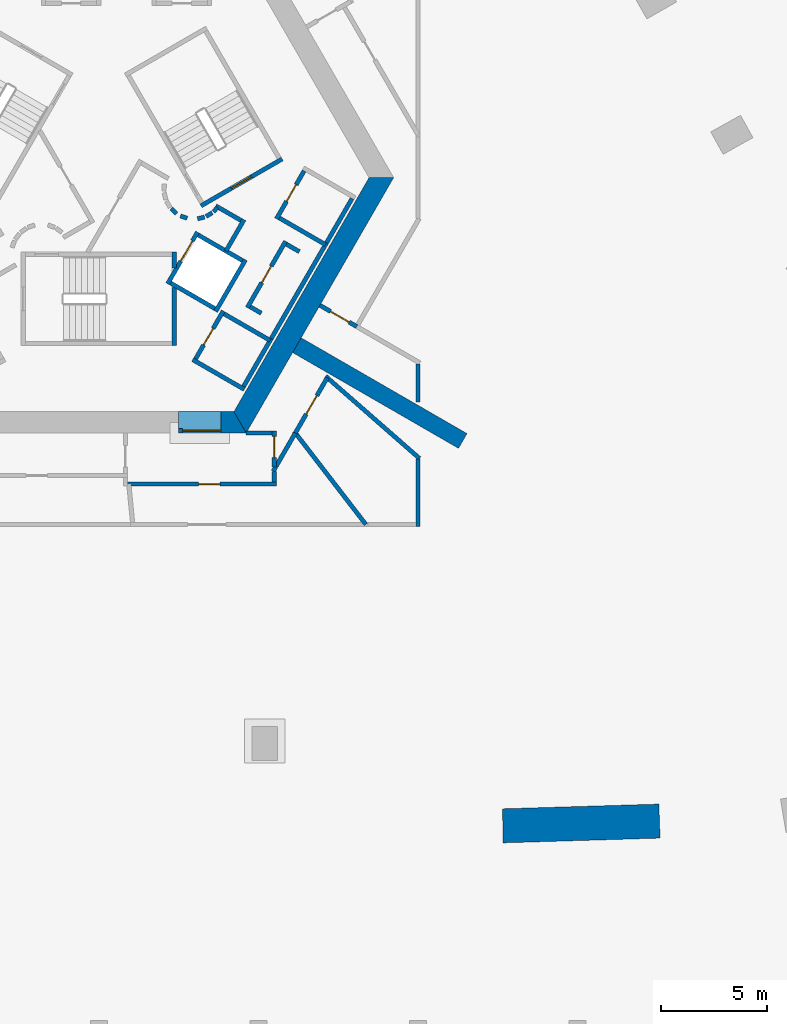
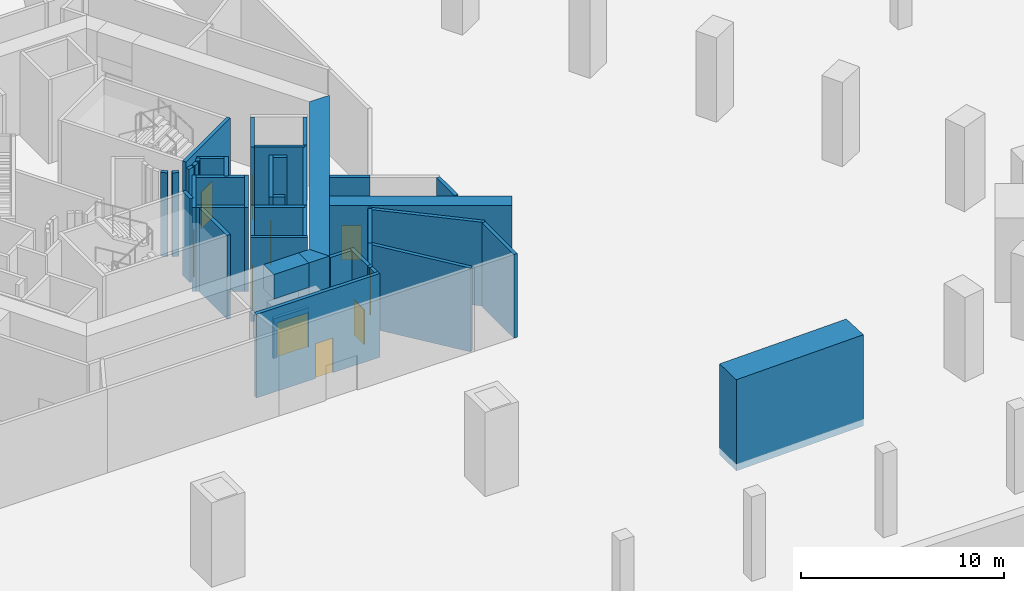
# One storey, part 5 of 12: 42 walls, 10 doors, 10 openings.
"""IFC4 building model written with IfcOpenShell, lengths in metres."""

from ifc_helpers import new_model, si_unit, direction, frame, frame_2d, origin, place, context, subcontext, project, spatial, polyline, rectangle, outline, extrude, material, layer, layer_set, type_object, element, fill, save


model = new_model("IFC4")

# Units and contexts
model_context = context("Model", 3, precision=1e-05, world=origin(), true_north=direction((0.0, 1.0)))
body_context = subcontext(model_context, "Body", "Model", "MODEL_VIEW")
ifc_project = project(units=[si_unit("LENGTHUNIT", "METRE"), si_unit("AREAUNIT", "SQUARE_METRE"), si_unit("VOLUMEUNIT", "CUBIC_METRE"), si_unit("PLANEANGLEUNIT", "RADIAN"), si_unit("MASSUNIT", "GRAM", prefix="KILO")], contexts=[model_context])

# Site, building, storey
site_placement = place(None, origin())
site = spatial("IfcSite", under=ifc_project, at=site_placement, CompositionType="ELEMENT")
building_placement = place(site_placement, origin())
building = spatial("IfcBuilding", under=site, at=building_placement, Name="Entoto Arch Interchange Tower", CompositionType="ELEMENT")
storey_placement = place(building_placement, frame((0.0, 0.0, -11.0)))
storey = spatial("IfcBuildingStorey", under=building, at=storey_placement, Name="B2", CompositionType="ELEMENT", Elevation=-11.0)

# Walls
ifc_material_1 = material(Name="Concrete C60/75", Category="concrete")
ifc_layer_1 = layer(ifc_material_1, 1.60009765625)
ifc_layer_set_1 = layer_set([ifc_layer_1], Name="Concrete C60/75")
wall_type_1 = type_object("IfcWallType", Name="Arch leg wall 1600 C60/75", PredefinedType="SHEAR", material=ifc_layer_set_1)
wall_1_placement = place(storey_placement, frame((0.0, 0.0, -0.419921875)))
element("IfcWall", 1, at=wall_1_placement, inside=storey, type_object=wall_type_1, Name="Arch leg E B2", PredefinedType="SHEAR", context=body_context, shape_type="SweptSolid", body=[
    extrude(outline(polyline([(19.0, -28.761962890625), (26.376953125, -28.5400390625), (26.321044921875, -26.94091796875), (18.97607421875, -27.162109375), (19.0, -28.761962890625)])), origin(), (0.0, 0.0, 1.0), 5.5),
])
ifc_layer_2 = layer(ifc_material_1, 0.800048828125)
ifc_layer_set_2 = layer_set([ifc_layer_2], Name="Concrete C60/75")
wall_type_2 = type_object("IfcWallType", Name="Buttress wall 800 C60/75", PredefinedType="SHEAR", material=ifc_layer_set_2)
wall_2_placement = place(storey_placement, frame((9.31005859375, -5.375, -0.419921875), z_axis=(0.0, 0.0, 1.0), x_axis=(0.866017533419, -0.500013631625, 0.0)))
element("IfcWall", 2, at=wall_2_placement, inside=storey, type_object=wall_type_2, Name="Buttress wall SE B2", PredefinedType="SHEAR", context=body_context, shape_type="SweptSolid", body=[
    extrude(rectangle(XDim=8.999755859375, YDim=0.800048828125, at=frame_2d((4.5, 0.0))), origin(), (0.0, 0.0, 1.0), 5.5),
])

# Wall, opening, door
ifc_material_2 = material(Name="Reinforced concrete C40/50", Category="concrete")
ifc_layer_3 = layer(ifc_material_2, 0.199951171875)
ifc_layer_set_3 = layer_set([ifc_layer_3], Name="Reinforced concrete C40/50")
wall_type_3 = type_object("IfcWallType", Name="CORE GAP INFILL WALL", PredefinedType="PARTITIONING", material=ifc_layer_set_3)
wall_3_placement = place(storey_placement, frame((3.75, -9.39990234375, 0.0), z_axis=(0.0, 0.0, 1.0), x_axis=(1.0, 0.0, 0.0)))
wall_3 = element("IfcWall", 3, at=wall_3_placement, inside=storey, type_object=wall_type_3, Name="wall:B2:gap1", PredefinedType="PARTITIONING", context=body_context, shape_type="SweptSolid", body=[
    extrude(rectangle(XDim=2.0, YDim=0.199951171875, at=frame_2d((1.0, 0.0))), origin(), (0.0, 0.0, 1.0), 2.39990234375),
])
opening_1_placement = place(wall_3_placement, frame((0.18994140625, 0.0, 0.0)))
opening_1 = element("IfcOpeningElement", 4, at=opening_1_placement, cuts=wall_3, Name="Opening B2-D91", PredefinedType="OPENING", context=body_context, shape_type="SweptSolid", body=[
    extrude(rectangle(XDim=1.800048828125, YDim=2.10009765625, at=frame_2d((0.89990234375, 1.050048828125))), frame((0.0, 0.10986328125, 0.0), z_axis=(0.0, -1.0, 0.0), x_axis=(1.0, 0.0, 0.0)), (0.0, 0.0, 1.0), 0.219970703125),
])
ifc_material_3 = material(Name="Fire-rated Steel S235 door and frame", Category="steel")
door_type_1 = type_object("IfcDoorType", Name="DOOR FD-18 1800x2100", OperationType="DOUBLE_DOOR_SINGLE_SWING", PredefinedType="DOOR", material=ifc_material_3)
door_1_placement = place(opening_1_placement, origin())
door_1 = element("IfcDoor", 5, at=door_1_placement, inside=storey, type_object=door_type_1, Name="door:B2:gap1", OperationType="DOUBLE_DOOR_SINGLE_SWING", OverallHeight=2.10009765625, OverallWidth=1.800048828125, PredefinedType="DOOR", context=body_context, shape_type="SweptSolid", body=[
    extrude(rectangle(XDim=1.800048828125, YDim=2.10009765625, at=frame_2d((0.89990234375, 1.050048828125))), frame((0.0, 0.02490234375, 0.0), z_axis=(0.0, -1.0, 0.0), x_axis=(1.0, 0.0, 0.0)), (0.0, 0.0, 1.0), 0.050048828125),
])
fill(opening_1, door_1)

# Walls
ifc_layer_4 = layer(ifc_material_1, 1.0)
ifc_layer_set_4 = layer_set([ifc_layer_4], Name="Concrete C60/75")
wall_type_4 = type_object("IfcWallType", Name="Core wall 1000 C60/75", PredefinedType="SHEAR", material=ifc_layer_set_4)
wall_4_placement = place(storey_placement, frame((0.0, 0.0, -0.419921875)))
element("IfcWall", 6, at=wall_4_placement, inside=storey, type_object=wall_type_4, Name="Core wall S B2", PredefinedType="SHEAR", context=body_context, shape_type="SweptSolid", body=[
    extrude(outline(polyline([(5.75, -8.5), (5.75, -9.5), (6.927978515625, -9.5), (6.35107421875, -8.5), (5.75, -8.5)])), origin(), (0.0, 0.0, 1.0), 5.5),
])
wall_5_placement = place(storey_placement, frame((0.0, 0.0, 3.60009765625)))
element("IfcWall", 7, at=wall_5_placement, inside=storey, type_object=wall_type_4, Name="Core wall lintel S B2", PredefinedType="SHEAR", context=body_context, shape_type="SweptSolid", body=[
    extrude(outline(polyline([(5.75, -9.5), (5.75, -8.5), (3.75, -8.5), (3.75, -9.5), (5.75, -9.5)])), origin(), (0.0, 0.0, 1.0), 1.47998046875),
])
wall_6_placement = place(storey_placement, frame((0.0, 0.0, -0.419921875)))
element("IfcWall", 8, at=wall_6_placement, inside=storey, type_object=wall_type_4, Name="Core wall SE B2", PredefinedType="SHEAR", context=body_context, shape_type="SweptSolid", body=[
    extrude(outline(polyline([(6.927978515625, -9.5), (13.85595703125, 2.5), (12.701904296875, 2.5), (6.35107421875, -8.5), (6.927978515625, -9.5)])), origin(), (0.0, 0.0, 1.0), 5.5),
])

# Wall, opening, door
ifc_material_4 = material(Name="Concrete C40/50", Category="concrete")
ifc_layer_5 = layer(ifc_material_4, 0.199951171875)
ifc_layer_set_5 = layer_set([ifc_layer_5], Name="Concrete C40/50")
wall_type_5 = type_object("IfcWallType", Name="LIFT SHAFT WALL 200", PredefinedType="STANDARD", material=ifc_layer_set_5)
wall_7_placement = place(storey_placement, frame((3.239990234375, -2.488037109375, 0.0), z_axis=(0.0, 0.0, 1.0), x_axis=(0.49994636267, 0.866056369097, 0.0)))
wall_7 = element("IfcWall", 9, at=wall_7_placement, inside=storey, type_object=wall_type_5, Name="Shaft wall SE1 front", PredefinedType="STANDARD", context=body_context, shape_type="SweptSolid", body=[
    extrude(rectangle(XDim=2.800048828125, YDim=0.199951171875, at=frame_2d((1.39990234375, 0.0))), origin(), (0.0, 0.0, 1.0), 5.050048828125),
])
opening_2_placement = place(wall_7_placement, frame((1.22509765625, 0.0, 0.0)))
opening_2 = element("IfcOpeningElement", 10, at=opening_2_placement, cuts=wall_7, Name="Opening LD-FF1-B2", PredefinedType="OPENING", context=body_context, shape_type="SweptSolid", body=[
    extrude(rectangle(XDim=1.10009765625, YDim=2.10009765625, at=frame_2d((0.550048828125, 1.050048828125))), frame((0.0, 0.10986328125, 0.0), z_axis=(0.0, -1.0, 0.0), x_axis=(1.0, 0.0, 0.0)), (0.0, 0.0, 1.0), 0.219970703125),
])
ifc_material_5 = material(Name="Stainless steel 1.4301 panels", Category="steel")
door_type_2 = type_object("IfcDoorType", Name="LIFT LANDING DOOR LD1 1100x2100", OperationType="SLIDING_TO_LEFT", PredefinedType="DOOR", material=ifc_material_5)
door_2_placement = place(opening_2_placement, origin())
door_2 = element("IfcDoor", 11, at=door_2_placement, inside=storey, type_object=door_type_2, Name="Lift landing door FF1 B2", OperationType="SLIDING_TO_LEFT", OverallHeight=2.10009765625, OverallWidth=1.10009765625, PredefinedType="DOOR", context=body_context, shape_type="SweptSolid", body=[
    extrude(rectangle(XDim=1.10009765625, YDim=2.10009765625, at=frame_2d((0.550048828125, 1.050048828125))), frame((0.0, 0.02490234375, 0.0), z_axis=(0.0, -1.0, 0.0), x_axis=(1.0, 0.0, 0.0)), (0.0, 0.0, 1.0), 0.050048828125),
])
fill(opening_2, door_2)

# Walls
wall_8_placement = place(storey_placement, frame((5.491943359375, -3.7880859375, 0.0), z_axis=(0.0, 0.0, 1.0), x_axis=(0.500011755427, 0.866018616679, 0.0)))
element("IfcWall", 12, at=wall_8_placement, inside=storey, type_object=wall_type_5, Name="Shaft wall SE1 back", PredefinedType="STANDARD", context=body_context, shape_type="SweptSolid", body=[
    extrude(rectangle(XDim=2.80029296875, YDim=0.199951171875, at=frame_2d((1.400146484375, 0.0))), origin(), (0.0, 0.0, 1.0), 5.050048828125),
])
wall_9_placement = place(storey_placement, frame((3.376953125, -2.451904296875, 0.0), z_axis=(0.0, 0.0, 1.0), x_axis=(0.865955154139, -0.50012165622, 0.0)))
element("IfcWall", 13, at=wall_9_placement, inside=storey, type_object=wall_type_5, Name="Shaft wall SE1 cross 1", PredefinedType="STANDARD", context=body_context, shape_type="SweptSolid", body=[
    extrude(rectangle(XDim=2.39990234375, YDim=0.199951171875, at=frame_2d((1.199951171875, 0.0))), origin(), (0.0, 0.0, 1.0), 5.050048828125),
])
wall_10_placement = place(storey_placement, frame((4.677001953125, -0.199951171875, 0.0), z_axis=(0.0, 0.0, 1.0), x_axis=(0.865973769406, -0.500089422704, 0.0)))
element("IfcWall", 14, at=wall_10_placement, inside=storey, type_object=wall_type_5, Name="Shaft wall SE1 cross 2", PredefinedType="STANDARD", context=body_context, shape_type="SweptSolid", body=[
    extrude(rectangle(XDim=2.3994140625, YDim=0.199951171875, at=frame_2d((1.19970703125, 0.0))), origin(), (0.0, 0.0, 1.0), 5.050048828125),
])

# Wall, opening, door
ifc_material_6 = material(Name="Gypsum board partition on steel studs", Category="steel")
ifc_layer_6 = layer(ifc_material_6, 0.199951171875)
ifc_layer_set_6 = layer_set([ifc_layer_6], Name="Gypsum board partition on steel studs")
wall_type_6 = type_object("IfcWallType", Name="PARTITION 200", PredefinedType="PARTITIONING", material=ifc_layer_set_6)
wall_11_placement = place(storey_placement, frame((8.25, -9.39990234375, 0.0), z_axis=(0.0, 0.0, 1.0), x_axis=(0.0, -1.0, 0.0)))
wall_11 = element("IfcWall", 15, at=wall_11_placement, inside=storey, type_object=wall_type_6, Name="wall:B2:p002", PredefinedType="PARTITIONING", context=body_context, shape_type="SweptSolid", body=[
    extrude(rectangle(XDim=1.710205078125, YDim=0.199951171875, at=frame_2d((0.85498046875, 0.0))), origin(), (0.0, 0.0, 1.0), 5.050048828125),
])
opening_3_placement = place(wall_11_placement, frame((0.261962890625, 0.0, 0.0)))
opening_3 = element("IfcOpeningElement", 16, at=opening_3_placement, cuts=wall_11, Name="Opening B2-D02", PredefinedType="OPENING", context=body_context, shape_type="SweptSolid", body=[
    extrude(rectangle(XDim=1.0, YDim=2.10009765625, at=frame_2d((0.5, 1.050048828125))), frame((0.0, 0.10986328125, 0.0), z_axis=(0.0, -1.0, 0.0), x_axis=(1.0, 0.0, 0.0)), (0.0, 0.0, 1.0), 0.219970703125),
])
door_type_3 = type_object("IfcDoorType", Name="DOOR FD-10 1000x2100", OperationType="SINGLE_SWING_LEFT", PredefinedType="DOOR", material=ifc_material_3)
door_3_placement = place(opening_3_placement, origin())
door_3 = element("IfcDoor", 17, at=door_3_placement, inside=storey, type_object=door_type_3, Name="door:B2:02", OperationType="SINGLE_SWING_RIGHT", OverallHeight=2.10009765625, OverallWidth=1.0, PredefinedType="DOOR", context=body_context, shape_type="SweptSolid", body=[
    extrude(rectangle(XDim=1.0, YDim=2.10009765625, at=frame_2d((0.5, 1.050048828125))), frame((0.0, 0.02490234375, 0.0), z_axis=(0.0, -1.0, 0.0), x_axis=(1.0, 0.0, 0.0)), (0.0, 0.0, 1.0), 0.050048828125),
])
fill(opening_3, door_3)

# Walls
wall_12_placement = place(storey_placement, frame((6.927978515625, -9.5, 0.0), z_axis=(0.0, 0.0, 1.0), x_axis=(1.0, 0.0, 0.0)))
element("IfcWall", 18, at=wall_12_placement, inside=storey, type_object=wall_type_6, Name="wall:B2:p003", PredefinedType="PARTITIONING", context=body_context, shape_type="SweptSolid", body=[
    extrude(rectangle(XDim=1.221923828125, YDim=0.199951171875, at=frame_2d((0.61083984375, 0.0))), origin(), (0.0, 0.0, 1.0), 5.050048828125),
])
wall_13_placement = place(storey_placement, frame((8.25, -11.31005859375, 0.0), z_axis=(0.0, 0.0, 1.0), x_axis=(0.0, -1.0, 0.0)))
element("IfcWall", 19, at=wall_13_placement, inside=storey, type_object=wall_type_6, Name="wall:B2:p004", PredefinedType="PARTITIONING", context=body_context, shape_type="SweptSolid", body=[
    extrude(rectangle(XDim=0.489990234375, YDim=0.199951171875, at=frame_2d((0.2451171875, 0.0))), origin(), (0.0, 0.0, 1.0), 5.050048828125),
])

# Wall, opening, door
wall_14_placement = place(storey_placement, frame((8.35009765625, -11.89990234375, 0.0), z_axis=(0.0, 0.0, 1.0), x_axis=(-1.0, 0.0, 0.0)))
wall_14 = element("IfcWall", 20, at=wall_14_placement, inside=storey, type_object=wall_type_6, Name="wall:B2:p005", PredefinedType="PARTITIONING", context=body_context, shape_type="SweptSolid", body=[
    extrude(rectangle(XDim=7.0390625, YDim=0.199951171875, at=frame_2d((3.51953125, 0.0))), origin(), (0.0, 0.0, 1.0), 5.050048828125),
])
opening_4_placement = place(wall_14_placement, frame((2.658935546875, 0.0, 0.0)))
opening_4 = element("IfcOpeningElement", 21, at=opening_4_placement, cuts=wall_14, Name="Opening B2-D03", PredefinedType="OPENING", context=body_context, shape_type="SweptSolid", body=[
    extrude(rectangle(XDim=1.0, YDim=2.10009765625, at=frame_2d((0.5, 1.050048828125))), frame((0.0, 0.10986328125, 0.0), z_axis=(0.0, -1.0, 0.0), x_axis=(1.0, 0.0, 0.0)), (0.0, 0.0, 1.0), 0.219970703125),
])
door_4_placement = place(opening_4_placement, origin())
door_4 = element("IfcDoor", 22, at=door_4_placement, inside=storey, type_object=door_type_3, Name="door:B2:03", OperationType="SINGLE_SWING_LEFT", OverallHeight=2.10009765625, OverallWidth=1.0, PredefinedType="DOOR", context=body_context, shape_type="SweptSolid", body=[
    extrude(rectangle(XDim=1.0, YDim=2.10009765625, at=frame_2d((0.5, 1.050048828125))), frame((0.0, 0.02490234375, 0.0), z_axis=(0.0, -1.0, 0.0), x_axis=(1.0, 0.0, 0.0)), (0.0, 0.0, 1.0), 0.050048828125),
])
fill(opening_4, door_4)

# Wall
wall_15_placement = place(storey_placement, frame((9.238037109375, -9.498046875, 0.0), z_axis=(0.0, 0.0, 1.0), x_axis=(-0.499780113518, -0.866152318089, 0.0)))
element("IfcWall", 23, at=wall_15_placement, inside=storey, type_object=wall_type_6, Name="wall:B2:p011", PredefinedType="PARTITIONING", context=body_context, shape_type="SweptSolid", body=[
    extrude(rectangle(XDim=2.0771484375, YDim=0.199951171875, at=frame_2d((1.03857421875, 0.0))), origin(), (0.0, 0.0, 1.0), 5.050048828125),
])

# Wall, opening, door
wall_16_placement = place(storey_placement, frame((10.738037109375, -6.90087890625, 0.0), z_axis=(0.0, 0.0, 1.0), x_axis=(-0.500131122175, -0.865949687125, 0.0)))
wall_16 = element("IfcWall", 24, at=wall_16_placement, inside=storey, type_object=wall_type_6, Name="wall:B2:p012", PredefinedType="PARTITIONING", context=body_context, shape_type="SweptSolid", body=[
    extrude(rectangle(XDim=2.999267578125, YDim=0.199951171875, at=frame_2d((1.49951171875, 0.0))), origin(), (0.0, 0.0, 1.0), 5.050048828125),
])
opening_5_placement = place(wall_16_placement, frame((0.971923828125, 0.0, 0.0)))
opening_5 = element("IfcOpeningElement", 25, at=opening_5_placement, cuts=wall_16, Name="Opening B2-D06", PredefinedType="OPENING", context=body_context, shape_type="SweptSolid", body=[
    extrude(rectangle(XDim=1.0, YDim=2.10009765625, at=frame_2d((0.5, 1.050048828125))), frame((0.0, 0.10986328125, 0.0), z_axis=(0.0, -1.0, 0.0), x_axis=(1.0, 0.0, 0.0)), (0.0, 0.0, 1.0), 0.219970703125),
])
door_5_placement = place(opening_5_placement, origin())
door_5 = element("IfcDoor", 26, at=door_5_placement, inside=storey, type_object=door_type_3, Name="door:B2:06", OperationType="SINGLE_SWING_RIGHT", OverallHeight=2.10009765625, OverallWidth=1.0, PredefinedType="DOOR", context=body_context, shape_type="SweptSolid", body=[
    extrude(rectangle(XDim=1.0, YDim=2.10009765625, at=frame_2d((0.5, 1.050048828125))), frame((0.0, 0.02490234375, 0.0), z_axis=(0.0, -1.0, 0.0), x_axis=(1.0, 0.0, 0.0)), (0.0, 0.0, 1.0), 0.050048828125),
])
fill(opening_5, door_5)

# Walls
wall_17_placement = place(storey_placement, frame((9.177001953125, -9.4189453125, 0.0), z_axis=(0.0, 0.0, 1.0), x_axis=(0.610158732695, -0.792279193792, 0.0)))
element("IfcWall", 27, at=wall_17_placement, inside=storey, type_object=wall_type_6, Name="wall:B2:p015", PredefinedType="PARTITIONING", context=body_context, shape_type="SweptSolid", body=[
    extrude(rectangle(XDim=5.52978515625, YDim=0.199951171875, at=frame_2d((2.764892578125, 0.0))), origin(), (0.0, 0.0, 1.0), 5.050048828125),
])
wall_18_placement = place(storey_placement, frame((10.6630859375, -6.8349609375, 0.0), z_axis=(0.0, 0.0, 1.0), x_axis=(0.752269740493, -0.658855247788, 0.0)))
element("IfcWall", 28, at=wall_18_placement, inside=storey, type_object=wall_type_6, Name="wall:B2:p023", PredefinedType="PARTITIONING", context=body_context, shape_type="SweptSolid", body=[
    extrude(rectangle(XDim=5.86474609375, YDim=0.199951171875, at=frame_2d((2.932373046875, 0.0))), origin(), (0.0, 0.0, 1.0), 5.050048828125),
])
wall_19_placement = place(storey_placement, frame((15.0, -10.73291015625, 0.0), z_axis=(0.0, 0.0, 1.0), x_axis=(0.0, -1.0, 0.0)))
element("IfcWall", 29, at=wall_19_placement, inside=storey, type_object=wall_type_6, Name="wall:B2:p024", PredefinedType="PARTITIONING", context=body_context, shape_type="SweptSolid", body=[
    extrude(rectangle(XDim=3.1669921875, YDim=0.199951171875, at=frame_2d((1.58349609375, 0.0))), origin(), (0.0, 0.0, 1.0), 5.050048828125),
])

# Wall, opening, door
wall_20_placement = place(storey_placement, frame((10.39208984375, -3.5, 0.0), z_axis=(0.0, 0.0, 1.0), x_axis=(0.866010750942, -0.50002537861, 0.0)))
wall_20 = element("IfcWall", 30, at=wall_20_placement, inside=storey, type_object=wall_type_6, Name="wall:B2:p025", PredefinedType="PARTITIONING", context=body_context, shape_type="SweptSolid", body=[
    extrude(rectangle(XDim=2.0, YDim=0.199951171875, at=frame_2d((1.0, 0.0))), origin(), (0.0, 0.0, 1.0), 5.050048828125),
])
opening_6_placement = place(wall_20_placement, frame((0.580078125, 0.0, 0.0)))
opening_6 = element("IfcOpeningElement", 31, at=opening_6_placement, cuts=wall_20, Name="Opening B2-D19", PredefinedType="OPENING", context=body_context, shape_type="SweptSolid", body=[
    extrude(rectangle(XDim=1.0, YDim=2.10009765625, at=frame_2d((0.5, 1.050048828125))), frame((0.0, 0.10986328125, 0.0), z_axis=(0.0, -1.0, 0.0), x_axis=(1.0, 0.0, 0.0)), (0.0, 0.0, 1.0), 0.219970703125),
])
ifc_material_7 = material(Name="Timber door leaf in Steel S235 frame", Category="steel")
door_type_4 = type_object("IfcDoorType", Name="DOOR DS-10 1000x2100", OperationType="SINGLE_SWING_LEFT", PredefinedType="DOOR", material=ifc_material_7)
door_6_placement = place(opening_6_placement, origin())
door_6 = element("IfcDoor", 32, at=door_6_placement, inside=storey, type_object=door_type_4, Name="door:B2:19", OperationType="SINGLE_SWING_LEFT", OverallHeight=2.10009765625, OverallWidth=1.0, PredefinedType="DOOR", context=body_context, shape_type="SweptSolid", body=[
    extrude(rectangle(XDim=1.0, YDim=2.10009765625, at=frame_2d((0.5, 1.050048828125))), frame((0.0, 0.02490234375, 0.0), z_axis=(0.0, -1.0, 0.0), x_axis=(1.0, 0.0, 0.0)), (0.0, 0.0, 1.0), 0.050048828125),
])
fill(opening_6, door_6)

# Walls
wall_21_placement = place(storey_placement, frame((15.0, -6.260009765625, 0.0), z_axis=(0.0, 0.0, 1.0), x_axis=(0.0, -1.0, 0.0)))
element("IfcWall", 33, at=wall_21_placement, inside=storey, type_object=wall_type_6, Name="wall:B2:p028", PredefinedType="PARTITIONING", context=body_context, shape_type="SweptSolid", body=[
    extrude(rectangle(XDim=1.781005859375, YDim=0.199951171875, at=frame_2d((0.890625, 0.0))), origin(), (0.0, 0.0, 1.0), 5.050048828125),
])
wall_22_placement = place(storey_placement, frame((6.840087890625, -7.452880859375, 0.0), z_axis=(0.0, 0.0, 1.0), x_axis=(-0.866056369097, 0.49994636267, 0.0)))
element("IfcWall", 34, at=wall_22_placement, inside=storey, type_object=wall_type_6, Name="wall:B2:p077", PredefinedType="PARTITIONING", context=body_context, shape_type="SweptSolid", body=[
    extrude(rectangle(XDim=2.800048828125, YDim=0.199951171875, at=frame_2d((1.39990234375, 0.0))), origin(), (0.0, 0.0, 1.0), 5.050048828125),
])

# Wall, opening, door
wall_23_placement = place(storey_placement, frame((4.551025390625, -6.01708984375, 0.0), z_axis=(0.0, 0.0, 1.0), x_axis=(0.499925626596, 0.866068339032, 0.0)))
wall_23 = element("IfcWall", 35, at=wall_23_placement, inside=storey, type_object=wall_type_6, Name="wall:B2:p078", PredefinedType="PARTITIONING", context=body_context, shape_type="SweptSolid", body=[
    extrude(rectangle(XDim=2.6005859375, YDim=0.199951171875, at=frame_2d((1.30029296875, 0.0))), origin(), (0.0, 0.0, 1.0), 5.050048828125),
])
opening_7_placement = place(wall_23_placement, frame((0.75, 0.0, 0.0)))
opening_7 = element("IfcOpeningElement", 36, at=opening_7_placement, cuts=wall_23, Name="Opening B2-D27", PredefinedType="OPENING", context=body_context, shape_type="SweptSolid", body=[
    extrude(rectangle(XDim=0.89990234375, YDim=2.10009765625, at=frame_2d((0.449951171875, 1.050048828125))), frame((0.0, 0.10986328125, 0.0), z_axis=(0.0, -1.0, 0.0), x_axis=(1.0, 0.0, 0.0)), (0.0, 0.0, 1.0), 0.219970703125),
])
door_type_5 = type_object("IfcDoorType", Name="DOOR DS-09 900x2100", OperationType="SINGLE_SWING_LEFT", PredefinedType="DOOR", material=ifc_material_7)
door_7_placement = place(opening_7_placement, origin())
door_7 = element("IfcDoor", 37, at=door_7_placement, inside=storey, type_object=door_type_5, Name="door:B2:27", OperationType="SINGLE_SWING_RIGHT", OverallHeight=2.10009765625, OverallWidth=0.89990234375, PredefinedType="DOOR", context=body_context, shape_type="SweptSolid", body=[
    extrude(rectangle(XDim=0.89990234375, YDim=2.10009765625, at=frame_2d((0.449951171875, 1.050048828125))), frame((0.0, 0.02490234375, 0.0), z_axis=(0.0, -1.0, 0.0), x_axis=(1.0, 0.0, 0.0)), (0.0, 0.0, 1.0), 0.050048828125),
])
fill(opening_7, door_7)

# Walls
wall_24_placement = place(storey_placement, frame((5.887939453125, -3.902099609375, 0.0), z_axis=(0.0, 0.0, 1.0), x_axis=(0.866022959057, -0.500004234368, 0.0)))
element("IfcWall", 38, at=wall_24_placement, inside=storey, type_object=wall_type_6, Name="wall:B2:p079", PredefinedType="PARTITIONING", context=body_context, shape_type="SweptSolid", body=[
    extrude(rectangle(XDim=2.5, YDim=0.199951171875, at=frame_2d((1.25, 0.0))), origin(), (0.0, 0.0, 1.0), 5.050048828125),
])
wall_25_placement = place(storey_placement, frame((8.10302734375, -5.06494140625, 0.0), z_axis=(0.0, 0.0, 1.0), x_axis=(-0.49996627774, -0.866044872465, 0.0)))
element("IfcWall", 39, at=wall_25_placement, inside=storey, type_object=wall_type_6, Name="wall:B2:p080", PredefinedType="PARTITIONING", context=body_context, shape_type="SweptSolid", body=[
    extrude(rectangle(XDim=2.600341796875, YDim=0.199951171875, at=frame_2d((1.30029296875, 0.0))), origin(), (0.0, 0.0, 1.0), 5.050048828125),
])
wall_26_placement = place(storey_placement, frame((7.636962890625, -3.8720703125, 0.0), z_axis=(0.0, 0.0, 1.0), x_axis=(-0.866158505053, 0.499769390944, 0.0)))
element("IfcWall", 40, at=wall_26_placement, inside=storey, type_object=wall_type_6, Name="wall:B2:p081", PredefinedType="PARTITIONING", context=body_context, shape_type="SweptSolid", body=[
    extrude(rectangle(XDim=0.600341796875, YDim=0.199951171875, at=frame_2d((0.30029296875, 0.0))), origin(), (0.0, 0.0, 1.0), 5.050048828125),
])

# Wall, opening, door
wall_27_placement = place(storey_placement, frame((6.98095703125, -3.60888671875, 0.0), z_axis=(0.0, 0.0, 1.0), x_axis=(0.499982693035, 0.866035395735, 0.0)))
wall_27 = element("IfcWall", 41, at=wall_27_placement, inside=storey, type_object=wall_type_6, Name="wall:B2:p082", PredefinedType="PARTITIONING", context=body_context, shape_type="SweptSolid", body=[
    extrude(rectangle(XDim=3.600341796875, YDim=0.199951171875, at=frame_2d((1.80029296875, 0.0))), origin(), (0.0, 0.0, 1.0), 5.050048828125),
])
opening_8_placement = place(wall_27_placement, frame((1.35009765625, 0.0, 0.0)))
opening_8 = element("IfcOpeningElement", 42, at=opening_8_placement, cuts=wall_27, Name="Opening B2-D28", PredefinedType="OPENING", context=body_context, shape_type="SweptSolid", body=[
    extrude(rectangle(XDim=0.89990234375, YDim=2.10009765625, at=frame_2d((0.449951171875, 1.050048828125))), frame((0.0, 0.10986328125, 0.0), z_axis=(0.0, -1.0, 0.0), x_axis=(1.0, 0.0, 0.0)), (0.0, 0.0, 1.0), 0.219970703125),
])
door_8_placement = place(opening_8_placement, origin())
door_8 = element("IfcDoor", 43, at=door_8_placement, inside=storey, type_object=door_type_5, Name="door:B2:28", OperationType="SINGLE_SWING_RIGHT", OverallHeight=2.10009765625, OverallWidth=0.89990234375, PredefinedType="DOOR", context=body_context, shape_type="SweptSolid", body=[
    extrude(rectangle(XDim=0.89990234375, YDim=2.10009765625, at=frame_2d((0.449951171875, 1.050048828125))), frame((0.0, 0.02490234375, 0.0), z_axis=(0.0, -1.0, 0.0), x_axis=(1.0, 0.0, 0.0)), (0.0, 0.0, 1.0), 0.050048828125),
])
fill(opening_8, door_8)

# Walls
wall_28_placement = place(storey_placement, frame((8.81689453125, -0.6279296875, 0.0), z_axis=(0.0, 0.0, 1.0), x_axis=(0.866307342011, -0.4995113504, 0.0)))
element("IfcWall", 44, at=wall_28_placement, inside=storey, type_object=wall_type_6, Name="wall:B2:p083", PredefinedType="PARTITIONING", context=body_context, shape_type="SweptSolid", body=[
    extrude(rectangle(XDim=0.700927734375, YDim=0.199951171875, at=frame_2d((0.3505859375, 0.0))), origin(), (0.0, 0.0, 1.0), 5.050048828125),
])
wall_29_placement = place(storey_placement, frame((10.702880859375, -0.56201171875, 0.0), z_axis=(0.0, 0.0, 1.0), x_axis=(-0.500012382935, -0.866018254376, 0.0)))
element("IfcWall", 45, at=wall_29_placement, inside=storey, type_object=wall_type_6, Name="wall:B2:p084", PredefinedType="PARTITIONING", context=body_context, shape_type="SweptSolid", body=[
    extrude(rectangle(XDim=5.199462890625, YDim=0.199951171875, at=frame_2d((2.599609375, 0.0))), origin(), (0.0, 0.0, 1.0), 5.050048828125),
])
wall_30_placement = place(storey_placement, frame((10.653076171875, -0.64794921875, 0.0), z_axis=(0.0, 0.0, 1.0), x_axis=(-0.866022959057, 0.500004234368, 0.0)))
element("IfcWall", 46, at=wall_30_placement, inside=storey, type_object=wall_type_6, Name="wall:B2:p085", PredefinedType="PARTITIONING", context=body_context, shape_type="SweptSolid", body=[
    extrude(rectangle(XDim=2.5, YDim=0.199951171875, at=frame_2d((1.25, 0.0))), origin(), (0.0, 0.0, 1.0), 5.050048828125),
])
wall_31_placement = place(storey_placement, frame((11.903076171875, 1.51708984375, 0.0), z_axis=(0.0, 0.0, 1.0), x_axis=(-0.499945471869, -0.866056883327, 0.0)))
element("IfcWall", 47, at=wall_31_placement, inside=storey, type_object=wall_type_6, Name="wall:B2:p086", PredefinedType="PARTITIONING", context=body_context, shape_type="SweptSolid", body=[
    extrude(rectangle(XDim=2.400634765625, YDim=0.199951171875, at=frame_2d((1.2001953125, 0.0))), origin(), (0.0, 0.0, 1.0), 5.050048828125),
])

# Wall, opening, door
wall_32_placement = place(storey_placement, frame((8.35107421875, 0.56494140625, 0.0), z_axis=(0.0, 0.0, 1.0), x_axis=(0.49989585183, 0.866085525409, 0.0)))
wall_32 = element("IfcWall", 48, at=wall_32_placement, inside=storey, type_object=wall_type_6, Name="wall:B2:p087", PredefinedType="PARTITIONING", context=body_context, shape_type="SweptSolid", body=[
    extrude(rectangle(XDim=2.60009765625, YDim=0.199951171875, at=frame_2d((1.300048828125, 0.0))), origin(), (0.0, 0.0, 1.0), 5.050048828125),
])
opening_9_placement = place(wall_32_placement, frame((0.949951171875, 0.0, 0.0)))
opening_9 = element("IfcOpeningElement", 49, at=opening_9_placement, cuts=wall_32, Name="Opening B2-D29", PredefinedType="OPENING", context=body_context, shape_type="SweptSolid", body=[
    extrude(rectangle(XDim=0.89990234375, YDim=2.10009765625, at=frame_2d((0.449951171875, 1.050048828125))), frame((0.0, 0.10986328125, 0.0), z_axis=(0.0, -1.0, 0.0), x_axis=(1.0, 0.0, 0.0)), (0.0, 0.0, 1.0), 0.219970703125),
])
door_9_placement = place(opening_9_placement, origin())
door_9 = element("IfcDoor", 50, at=door_9_placement, inside=storey, type_object=door_type_5, Name="door:B2:29", OperationType="SINGLE_SWING_LEFT", OverallHeight=2.10009765625, OverallWidth=0.89990234375, PredefinedType="DOOR", context=body_context, shape_type="SweptSolid", body=[
    extrude(rectangle(XDim=0.89990234375, YDim=2.10009765625, at=frame_2d((0.449951171875, 1.050048828125))), frame((0.0, 0.02490234375, 0.0), z_axis=(0.0, -1.0, 0.0), x_axis=(1.0, 0.0, 0.0)), (0.0, 0.0, 1.0), 0.050048828125),
])
fill(opening_9, door_9)

# Walls
wall_33_placement = place(storey_placement, frame((3.404052734375, 1.0390625, 0.0), z_axis=(0.0, 0.0, 1.0), x_axis=(0.740267097712, -0.672312891476, 0.0)))
element("IfcWall", 51, at=wall_33_placement, inside=storey, type_object=wall_type_6, Name="wall:B2:p104", PredefinedType="PARTITIONING", context=body_context, shape_type="SweptSolid", body=[
    extrude(rectangle(XDim=0.337646484375, YDim=0.199951171875, at=frame_2d((0.1689453125, 0.0))), origin(), (0.0, 0.0, 1.0), 5.050048828125),
])
wall_34_placement = place(storey_placement, frame((3.837890625, 0.701904296875, 0.0), z_axis=(0.0, 0.0, 1.0), x_axis=(0.941035081519, -0.338308993895, 0.0)))
element("IfcWall", 52, at=wall_34_placement, inside=storey, type_object=wall_type_6, Name="wall:B2:p105", PredefinedType="PARTITIONING", context=body_context, shape_type="SweptSolid", body=[
    extrude(rectangle(XDim=0.3369140625, YDim=0.199951171875, at=frame_2d((0.16845703125, 0.0))), origin(), (0.0, 0.0, 1.0), 5.050048828125),
])
wall_35_placement = place(storey_placement, frame((4.64404296875, 0.56396484375, 0.0), z_axis=(0.0, 0.0, 1.0), x_axis=(0.969929076366, 0.243387729394, 0.0)))
element("IfcWall", 53, at=wall_35_placement, inside=storey, type_object=wall_type_6, Name="wall:B2:p106", PredefinedType="PARTITIONING", context=body_context, shape_type="SweptSolid", body=[
    extrude(rectangle(XDim=0.337158203125, YDim=0.199951171875, at=frame_2d((0.16845703125, 0.0))), origin(), (0.0, 0.0, 1.0), 5.050048828125),
])
wall_36_placement = place(storey_placement, frame((5.0419921875, 0.676025390625, 0.0), z_axis=(0.0, 0.0, 1.0), x_axis=(0.857940155512, 0.513749637042, 0.0)))
element("IfcWall", 54, at=wall_36_placement, inside=storey, type_object=wall_type_6, Name="wall:B2:p107", PredefinedType="PARTITIONING", context=body_context, shape_type="SweptSolid", body=[
    extrude(rectangle(XDim=0.3369140625, YDim=0.199951171875, at=frame_2d((0.16845703125, 0.0))), origin(), (0.0, 0.0, 1.0), 5.050048828125),
])
wall_37_placement = place(storey_placement, frame((5.389892578125, 0.89794921875, 0.0), z_axis=(0.0, 0.0, 1.0), x_axis=(0.673828488714, 0.738887791073, 0.0)))
element("IfcWall", 55, at=wall_37_placement, inside=storey, type_object=wall_type_6, Name="wall:B2:p108", PredefinedType="PARTITIONING", context=body_context, shape_type="SweptSolid", body=[
    extrude(rectangle(XDim=0.2626953125, YDim=0.199951171875, at=frame_2d((0.13134765625, 0.0))), origin(), (0.0, 0.0, 1.0), 5.050048828125),
])
wall_38_placement = place(storey_placement, frame((5.4990234375, 1.172119140625, 0.0), z_axis=(0.0, 0.0, 1.0), x_axis=(0.866333505267, -0.499465972466, 0.0)))
element("IfcWall", 56, at=wall_38_placement, inside=storey, type_object=wall_type_6, Name="wall:B2:p109", PredefinedType="PARTITIONING", context=body_context, shape_type="SweptSolid", body=[
    extrude(rectangle(XDim=1.37353515625, YDim=0.199951171875, at=frame_2d((0.686767578125, 0.0))), origin(), (0.0, 0.0, 1.0), 5.050048828125),
])
wall_39_placement = place(storey_placement, frame((6.825927734375, 0.52197265625, 0.0), z_axis=(0.0, 0.0, 1.0), x_axis=(-0.500016722714, -0.866015748706, 0.0)))
element("IfcWall", 57, at=wall_39_placement, inside=storey, type_object=wall_type_6, Name="wall:B2:p110", PredefinedType="PARTITIONING", context=body_context, shape_type="SweptSolid", body=[
    extrude(rectangle(XDim=1.69970703125, YDim=0.199951171875, at=frame_2d((0.849853515625, 0.0))), origin(), (0.0, 0.0, 1.0), 5.050048828125),
])
ifc_layer_7 = layer(ifc_material_4, 0.199951171875)
ifc_layer_set_7 = layer_set([ifc_layer_7], Name="Concrete C40/50")
wall_type_7 = type_object("IfcWallType", Name="STAIR ENCLOSURE WALL 200", PredefinedType="STANDARD", material=ifc_layer_set_7)
wall_40_placement = place(storey_placement, frame((3.550048828125, -2.6669921875, 0.0), z_axis=(0.0, 0.0, 1.0), x_axis=(0.0, -1.0, 0.0)))
element("IfcWall", 58, at=wall_40_placement, inside=storey, type_object=wall_type_7, Name="Stair wall ST-S far", PredefinedType="STANDARD", context=body_context, shape_type="SweptSolid", body=[
    extrude(rectangle(XDim=2.73291015625, YDim=0.199951171875, at=frame_2d((1.366455078125, 0.0))), origin(), (0.0, 0.0, 1.0), 5.050048828125),
])
wall_41_placement = place(storey_placement, frame((3.550048828125, -1.0, 0.0), z_axis=(0.0, 0.0, 1.0), x_axis=(0.0, -1.0, 0.0)))
element("IfcWall", 59, at=wall_41_placement, inside=storey, type_object=wall_type_7, Name="Stair wall ST-S far return", PredefinedType="STANDARD", context=body_context, shape_type="SweptSolid", body=[
    extrude(rectangle(XDim=0.7509765625, YDim=0.199951171875, at=frame_2d((0.37548828125, 0.0))), origin(), (0.0, 0.0, 1.0), 5.050048828125),
])

# Wall, opening, door
wall_42_placement = place(storey_placement, frame((4.805908203125, 1.176025390625, 0.0), z_axis=(0.0, 0.0, 1.0), x_axis=(0.866059941101, 0.499940174841, 0.0)))
wall_42 = element("IfcWall", 60, at=wall_42_placement, inside=storey, type_object=wall_type_7, Name="Stair wall ST-NE near", PredefinedType="STANDARD", context=body_context, shape_type="SweptSolid", body=[
    extrude(rectangle(XDim=4.400390625, YDim=0.199951171875, at=frame_2d((2.2001953125, 0.0))), origin(), (0.0, 0.0, 1.0), 5.050048828125),
])
opening_10_placement = place(wall_42_placement, frame((1.64990234375, 0.0, 0.0)))
opening_10 = element("IfcOpeningElement", 61, at=opening_10_placement, cuts=wall_42, Name="Opening SD-ST-NE-B2-E", PredefinedType="OPENING", context=body_context, shape_type="SweptSolid", body=[
    extrude(rectangle(XDim=1.10009765625, YDim=2.199951171875, at=frame_2d((0.550048828125, 1.10009765625))), frame((0.0, 0.10986328125, 0.0), z_axis=(0.0, -1.0, 0.0), x_axis=(1.0, 0.0, 0.0)), (0.0, 0.0, 1.0), 0.219970703125),
])
ifc_material_8 = material(Name="Steel S235", Category="steel")
door_type_6 = type_object("IfcDoorType", Name="STAIR DOOR SD1 1100x2200", OperationType="SINGLE_SWING_LEFT", PredefinedType="DOOR", material=ifc_material_8)
door_10_placement = place(opening_10_placement, origin())
door_10 = element("IfcDoor", 62, at=door_10_placement, inside=storey, type_object=door_type_6, Name="Stair door ST-NE B2 end", OperationType="SINGLE_SWING_LEFT", OverallHeight=2.199951171875, OverallWidth=1.10009765625, PredefinedType="DOOR", context=body_context, shape_type="SweptSolid", body=[
    extrude(rectangle(XDim=1.10009765625, YDim=2.199951171875, at=frame_2d((0.550048828125, 1.10009765625))), frame((0.0, 0.02490234375, 0.0), z_axis=(0.0, -1.0, 0.0), x_axis=(1.0, 0.0, 0.0)), (0.0, 0.0, 1.0), 0.050048828125),
])
fill(opening_10, door_10)

save(model, "model.ifc")
